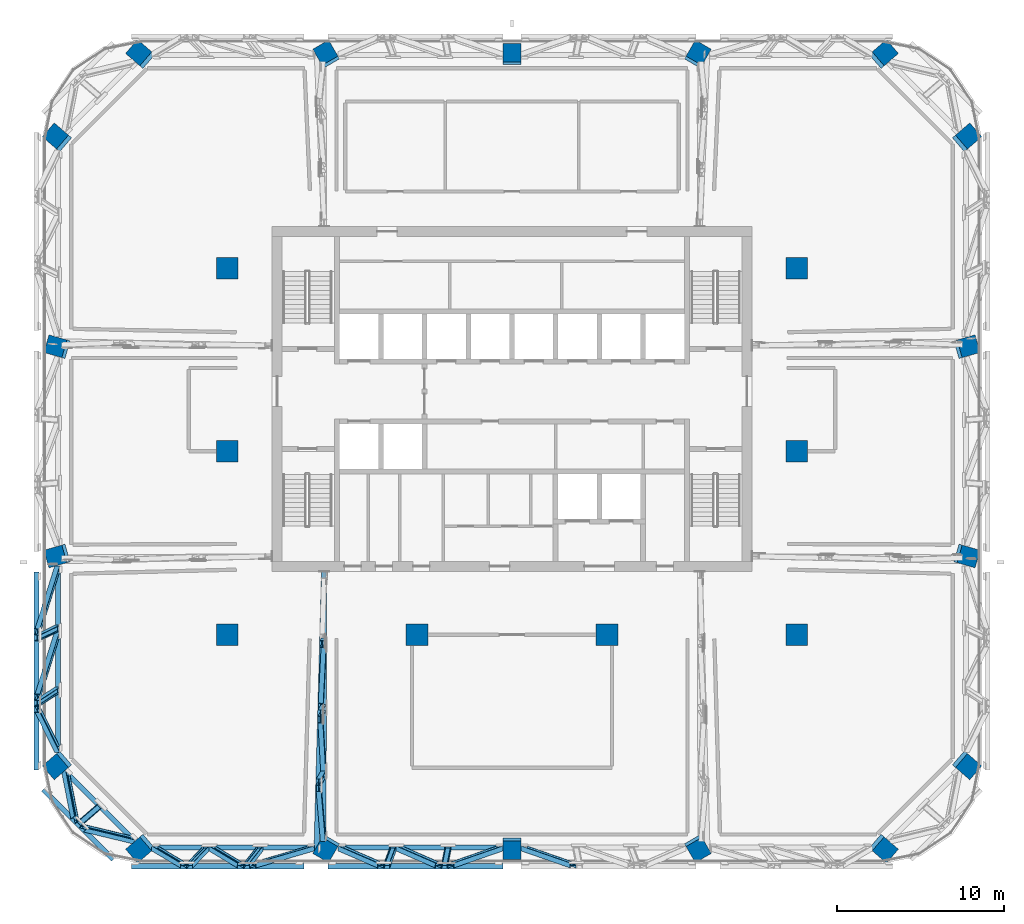
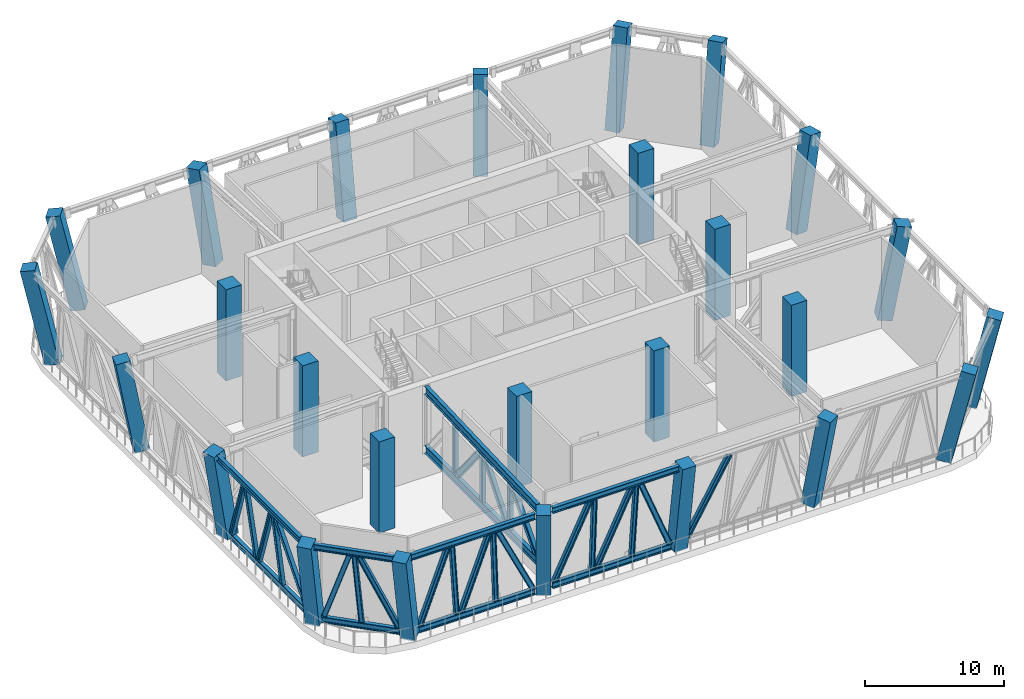
# One storey, part 1 of 24: 35 members, 26 columns.
"""IFC4 building model written with IfcOpenShell, lengths in metres."""

from ifc_helpers import new_model, si_unit, direction, frame, origin, origin_2d, place, context, subcontext, project, spatial, rectangle, i_section, extrude, material, material_profile, profile_set, type_object, element, save


model = new_model("IFC4")

# Units and contexts
model_context = context("Model", 3, precision=1e-05, world=origin(), true_north=direction((0.0, 1.0)))
body_context = subcontext(model_context, "Body", "Model", "MODEL_VIEW")
ifc_project = project(units=[si_unit("LENGTHUNIT", "METRE"), si_unit("AREAUNIT", "SQUARE_METRE"), si_unit("VOLUMEUNIT", "CUBIC_METRE"), si_unit("PLANEANGLEUNIT", "RADIAN"), si_unit("MASSUNIT", "GRAM", prefix="KILO")], contexts=[model_context])

# Site, building, storey
site_placement = place(None, origin())
site = spatial("IfcSite", under=ifc_project, at=site_placement, CompositionType="ELEMENT")
building_placement = place(site_placement, origin())
building = spatial("IfcBuilding", under=site, at=building_placement, Name="Mopane Tessera Tower", CompositionType="ELEMENT")
storey_placement = place(building_placement, frame((0.0, 0.0, 259.0)))
storey = spatial("IfcBuildingStorey", under=building, at=storey_placement, Name="L56", CompositionType="ELEMENT", Elevation=259.0)

# Columns
ifc_material_1 = material(Name="Concrete C50/60", Category="concrete")
ifc_material_profile_1 = material_profile(ifc_material_1, rectangle(XDim=1.300048828125, YDim=1.300048828125, at=origin_2d()))
ifc_profile_set_1 = profile_set([ifc_material_profile_1], Name="Concrete C50/60")
column_type_1 = type_object("IfcColumnType", Name="Interior column 1300 x 1300 C50/60", PredefinedType="COLUMN", material=ifc_profile_set_1)
for number, where, z_axis, x_axis, name in (
    (1, (-17.10009765625, -11.0, 0.0), (0.0, 0.0, 1.0), (1.0, 0.0, 0.0), "Interior column I1A L56"),
    (2, (-17.10009765625, 0.0, 0.0), (0.0, 0.0, 1.0), (1.0, 0.0, 0.0), "Interior column I1B L56"),
    (3, (-17.10009765625, 11.0, 0.0), (0.0, 0.0, 1.0), (1.0, 0.0, 0.0), "Interior column I1C L56"),
    (4, (-5.699951171875, -11.0, 0.0), (0.0, 0.0, 1.0), (1.0, 0.0, 0.0), "Interior column I2A L56"),
    (5, (5.699951171875, -11.0, 0.0), (0.0, 0.0, 1.0), (1.0, 0.0, 0.0), "Interior column I3A L56"),
    (6, (17.10009765625, -11.0, 0.0), (0.0, 0.0, 1.0), (1.0, 0.0, 0.0), "Interior column I4A L56"),
    (7, (17.10009765625, 0.0, 0.0), (0.0, 0.0, 1.0), (1.0, 0.0, 0.0), "Interior column I4B L56"),
    (8, (17.10009765625, 11.0, 0.0), (0.0, 0.0, 1.0), (1.0, 0.0, 0.0), "Interior column I4C L56"),
):
    element("IfcColumn", number, at=place(storey_placement, frame(where, z_axis=z_axis, x_axis=x_axis)), inside=storey, type_object=column_type_1, Name=name, PredefinedType="COLUMN", context=body_context, shape_type="SweptSolid", body=[
        extrude(rectangle(XDim=1.300048828125, YDim=1.300048828125, at=origin_2d()), origin(), (0.0, 0.0, 1.0), 8.0),
    ])
ifc_material_2 = material(Name="Concrete C50/60", Category="concrete")
ifc_material_profile_2 = material_profile(ifc_material_2, rectangle(XDim=1.10009765625, YDim=1.10009765625, at=origin_2d()))
ifc_profile_set_2 = profile_set([ifc_material_profile_2], Name="Concrete C50/60")
column_type_2 = type_object("IfcColumnType", Name="Ring column 1100 x 1100 C50/60", PredefinedType="COLUMN", material=ifc_profile_set_2)
column_1_placement = place(storey_placement, frame((-22.199951171875, -23.75, 0.0), z_axis=(-0.168292528058, -0.145083869662, 0.975001690134), x_axis=(0.652950217968, -0.757400827076, 0.0)))
element("IfcColumn", 9, at=column_1_placement, inside=storey, type_object=column_type_2, Name="Ring column S0 L56", PredefinedType="COLUMN", context=body_context, shape_type="SweptSolid", body=[
    extrude(rectangle(XDim=1.10009765625, YDim=1.10009765625, at=origin_2d()), origin(), (0.0, 0.0, 1.0), 8.205078125),
])
column_2_placement = place(storey_placement, frame((-11.10009765625, -23.75, 0.0), z_axis=(-0.085054467071, -0.146649781273, 0.985525027224), x_axis=(0.865037348799, -0.50170746973, 0.0)))
element("IfcColumn", 10, at=column_2_placement, inside=storey, type_object=column_type_2, Name="Ring column S1 L56", PredefinedType="COLUMN", context=body_context, shape_type="SweptSolid", body=[
    extrude(rectangle(XDim=1.10009765625, YDim=1.10009765625, at=origin_2d()), origin(), (0.0, 0.0, 1.0), 8.117431640625),
])
column_3_placement = place(storey_placement, frame((0.0, -23.75, 0.0), z_axis=(0.0, -0.1471831283, 0.989109259255), x_axis=(1.0, 0.0, 0.0)))
element("IfcColumn", 11, at=column_3_placement, inside=storey, type_object=column_type_2, Name="Ring column S2 L56", PredefinedType="COLUMN", context=body_context, shape_type="SweptSolid", body=[
    extrude(rectangle(XDim=1.10009765625, YDim=1.10009765625, at=origin_2d()), origin(), (0.0, 0.0, 1.0), 8.088134765625),
])
column_4_placement = place(storey_placement, frame((11.10009765625, -23.75, 0.0), z_axis=(0.085054467071, -0.146649781273, 0.985525027224), x_axis=(0.865037348799, 0.50170746973, 0.0)))
element("IfcColumn", 12, at=column_4_placement, inside=storey, type_object=column_type_2, Name="Ring column S3 L56", PredefinedType="COLUMN", context=body_context, shape_type="SweptSolid", body=[
    extrude(rectangle(XDim=1.10009765625, YDim=1.10009765625, at=origin_2d()), origin(), (0.0, 0.0, 1.0), 8.117431640625),
])
for number, where, z_axis, x_axis, name in (
    (13, (22.199951171875, -23.75, 0.0), (0.168292528058, -0.145083869662, 0.975001690134), (0.652950217968, 0.757400827076, 0.0), "Ring column S4 L56"),
    (14, (27.199951171875, -18.75, 0.0), (0.168292528058, -0.145083869662, 0.975001690134), (0.652950217968, 0.757400827076, 0.0), "Ring column E0 L56"),
):
    element("IfcColumn", number, at=place(storey_placement, frame(where, z_axis=z_axis, x_axis=x_axis)), inside=storey, type_object=column_type_2, Name=name, PredefinedType="COLUMN", context=body_context, shape_type="SweptSolid", body=[
        extrude(rectangle(XDim=1.10009765625, YDim=1.10009765625, at=origin_2d()), origin(), (0.0, 0.0, 1.0), 8.205078125),
    ])
for number, where, z_axis, x_axis, name in (
    (15, (27.199951171875, -6.25, 0.0), (0.169889225742, -0.048840148702, 0.984252148005), (0.276291730008, 0.961073816067, 0.0), "Ring column E1 L56"),
    (16, (27.199951171875, 6.25, 0.0), (0.169889225742, 0.048840148702, 0.984252148005), (-0.276291730008, 0.961073816067, 0.0), "Ring column E2 L56"),
):
    element("IfcColumn", number, at=place(storey_placement, frame(where, z_axis=z_axis, x_axis=x_axis)), inside=storey, type_object=column_type_2, Name=name, PredefinedType="COLUMN", context=body_context, shape_type="SweptSolid", body=[
        extrude(rectangle(XDim=1.10009765625, YDim=1.10009765625, at=origin_2d()), origin(), (0.0, 0.0, 1.0), 8.1279296875),
    ])
for number, where, z_axis, x_axis, name in (
    (17, (27.199951171875, 18.75, 0.0), (0.168292528058, 0.145083869662, 0.975001690134), (-0.652950217968, 0.757400827076, 0.0), "Ring column E3 L56"),
    (18, (22.199951171875, 23.75, 0.0), (0.168292528058, 0.145083869662, 0.975001690134), (-0.652950217968, 0.757400827076, 0.0), "Ring column N0 L56"),
):
    element("IfcColumn", number, at=place(storey_placement, frame(where, z_axis=z_axis, x_axis=x_axis)), inside=storey, type_object=column_type_2, Name=name, PredefinedType="COLUMN", context=body_context, shape_type="SweptSolid", body=[
        extrude(rectangle(XDim=1.10009765625, YDim=1.10009765625, at=origin_2d()), origin(), (0.0, 0.0, 1.0), 8.205078125),
    ])
column_5_placement = place(storey_placement, frame((11.10009765625, 23.75, 0.0), z_axis=(0.085054467071, 0.146649781273, 0.985525027224), x_axis=(-0.865037348799, 0.50170746973, 0.0)))
element("IfcColumn", 19, at=column_5_placement, inside=storey, type_object=column_type_2, Name="Ring column N1 L56", PredefinedType="COLUMN", context=body_context, shape_type="SweptSolid", body=[
    extrude(rectangle(XDim=1.10009765625, YDim=1.10009765625, at=origin_2d()), origin(), (0.0, 0.0, 1.0), 8.117431640625),
])
column_6_placement = place(storey_placement, frame((0.0, 23.75, 0.0), z_axis=(0.0, 0.1471831283, 0.989109259255), x_axis=(-1.0, 0.0, 0.0)))
element("IfcColumn", 20, at=column_6_placement, inside=storey, type_object=column_type_2, Name="Ring column N2 L56", PredefinedType="COLUMN", context=body_context, shape_type="SweptSolid", body=[
    extrude(rectangle(XDim=1.10009765625, YDim=1.10009765625, at=origin_2d()), origin(), (0.0, 0.0, 1.0), 8.088134765625),
])
column_7_placement = place(storey_placement, frame((-11.10009765625, 23.75, 0.0), z_axis=(-0.085054467071, 0.146649781273, 0.985525027224), x_axis=(-0.865037348799, -0.50170746973, 0.0)))
element("IfcColumn", 21, at=column_7_placement, inside=storey, type_object=column_type_2, Name="Ring column N3 L56", PredefinedType="COLUMN", context=body_context, shape_type="SweptSolid", body=[
    extrude(rectangle(XDim=1.10009765625, YDim=1.10009765625, at=origin_2d()), origin(), (0.0, 0.0, 1.0), 8.117431640625),
])
for number, where, z_axis, x_axis, name in (
    (22, (-22.199951171875, 23.75, 0.0), (-0.168292528058, 0.145083869662, 0.975001690134), (-0.652950217968, -0.757400827076, 0.0), "Ring column N4 L56"),
    (23, (-27.199951171875, 18.75, 0.0), (-0.168292528058, 0.145083869662, 0.975001690134), (-0.652950217968, -0.757400827076, 0.0), "Ring column W0 L56"),
):
    element("IfcColumn", number, at=place(storey_placement, frame(where, z_axis=z_axis, x_axis=x_axis)), inside=storey, type_object=column_type_2, Name=name, PredefinedType="COLUMN", context=body_context, shape_type="SweptSolid", body=[
        extrude(rectangle(XDim=1.10009765625, YDim=1.10009765625, at=origin_2d()), origin(), (0.0, 0.0, 1.0), 8.205078125),
    ])
for number, where, z_axis, x_axis, name in (
    (24, (-27.199951171875, 6.25, 0.0), (-0.169889225742, 0.048840148702, 0.984252148005), (-0.276291730008, -0.961073816067, 0.0), "Ring column W1 L56"),
    (25, (-27.199951171875, -6.25, 0.0), (-0.169889225742, -0.048840148702, 0.984252148005), (0.276291730008, -0.961073816067, 0.0), "Ring column W2 L56"),
):
    element("IfcColumn", number, at=place(storey_placement, frame(where, z_axis=z_axis, x_axis=x_axis)), inside=storey, type_object=column_type_2, Name=name, PredefinedType="COLUMN", context=body_context, shape_type="SweptSolid", body=[
        extrude(rectangle(XDim=1.10009765625, YDim=1.10009765625, at=origin_2d()), origin(), (0.0, 0.0, 1.0), 8.1279296875),
    ])
column_8_placement = place(storey_placement, frame((-27.199951171875, -18.75, 0.0), z_axis=(-0.168292528058, -0.145083869662, 0.975001690134), x_axis=(0.652950217968, -0.757400827076, 0.0)))
element("IfcColumn", 26, at=column_8_placement, inside=storey, type_object=column_type_2, Name="Ring column W3 L56", PredefinedType="COLUMN", context=body_context, shape_type="SweptSolid", body=[
    extrude(rectangle(XDim=1.10009765625, YDim=1.10009765625, at=origin_2d()), origin(), (0.0, 0.0, 1.0), 8.205078125),
])

# Members
ifc_material_3 = material(Name="Structural steel S460", Category="steel")
ifc_material_profile_3 = material_profile(ifc_material_3, i_section(OverallWidth=0.305908203125, OverallDepth=0.52392578125, WebThickness=0.02099609375, FlangeThickness=0.0400390625, FilletRadius=0.027099609375, at=origin_2d()))
ifc_profile_set_3 = profile_set([ifc_material_profile_3], Name="Structural steel S460")
member_type_1 = type_object("IfcMemberType", Name="Belt truss chord HE 500 M", PredefinedType="CHORD", material=ifc_profile_set_3)
member_1_placement = place(storey_placement, frame((-21.55419921875, -23.7890625, 0.261962890625), z_axis=(1.0, 0.0, 0.0), x_axis=(0.0, 1.0, 0.0)))
element("IfcMember", 27, at=member_1_placement, inside=storey, type_object=member_type_1, Name="Belt truss bottom chord L56 S0-S1", PredefinedType="CHORD", context=body_context, shape_type="SweptSolid", body=[
    extrude(i_section(OverallWidth=0.305908203125, OverallDepth=0.52392578125, WebThickness=0.02099609375, FlangeThickness=0.0400390625, FilletRadius=0.027099609375, at=origin_2d()), origin(), (0.0, 0.0, 1.0), 9.70751953125),
])
member_2_placement = place(storey_placement, frame((-22.844482421875, -24.9013671875, 7.738037109375), z_axis=(1.0, 0.0, 0.0), x_axis=(0.0, 1.0, 0.0)))
element("IfcMember", 28, at=member_2_placement, inside=storey, type_object=member_type_1, Name="Belt truss top chord L56 S0-S1", PredefinedType="CHORD", context=body_context, shape_type="SweptSolid", body=[
    extrude(i_section(OverallWidth=0.305908203125, OverallDepth=0.52392578125, WebThickness=0.02099609375, FlangeThickness=0.0400390625, FilletRadius=0.027099609375, at=origin_2d()), origin(), (0.0, 0.0, 1.0), 10.352783203125),
])
member_3_placement = place(storey_placement, frame((-10.398681640625, -23.7890625, 0.261962890625), z_axis=(1.0, 0.0, 0.0), x_axis=(0.0, 1.0, 0.0)))
element("IfcMember", 29, at=member_3_placement, inside=storey, type_object=member_type_1, Name="Belt truss bottom chord L56 S1-S2", PredefinedType="CHORD", context=body_context, shape_type="SweptSolid", body=[
    extrude(i_section(OverallWidth=0.305908203125, OverallDepth=0.52392578125, WebThickness=0.02099609375, FlangeThickness=0.0400390625, FilletRadius=0.027099609375, at=origin_2d()), origin(), (0.0, 0.0, 1.0), 9.84912109375),
])
member_4_placement = place(storey_placement, frame((-11.0439453125, -24.9013671875, 7.738037109375), z_axis=(1.0, 0.0, 0.0), x_axis=(0.0, 1.0, 0.0)))
element("IfcMember", 30, at=member_4_placement, inside=storey, type_object=member_type_1, Name="Belt truss top chord L56 S1-S2", PredefinedType="CHORD", context=body_context, shape_type="SweptSolid", body=[
    extrude(i_section(OverallWidth=0.305908203125, OverallDepth=0.52392578125, WebThickness=0.02099609375, FlangeThickness=0.0400390625, FilletRadius=0.027099609375, at=origin_2d()), origin(), (0.0, 0.0, 1.0), 10.494384765625),
])
member_5_placement = place(storey_placement, frame((-27.2451171875, -6.878662109375, 0.261962890625), z_axis=(0.0, -1.0, 0.0), x_axis=(1.0, 0.0, 0.0)))
element("IfcMember", 31, at=member_5_placement, inside=storey, type_object=member_type_1, Name="Belt truss bottom chord L56 W2-W3", PredefinedType="CHORD", context=body_context, shape_type="SweptSolid", body=[
    extrude(i_section(OverallWidth=0.305908203125, OverallDepth=0.52392578125, WebThickness=0.02099609375, FlangeThickness=0.0400390625, FilletRadius=0.027099609375, at=origin_2d()), origin(), (0.0, 0.0, 1.0), 11.13330078125),
])
member_6_placement = place(storey_placement, frame((-28.53564453125, -7.24951171875, 7.738037109375), z_axis=(0.0, -1.0, 0.0), x_axis=(1.0, 0.0, 0.0)))
element("IfcMember", 32, at=member_6_placement, inside=storey, type_object=member_type_1, Name="Belt truss top chord L56 W2-W3", PredefinedType="CHORD", context=body_context, shape_type="SweptSolid", body=[
    extrude(i_section(OverallWidth=0.305908203125, OverallDepth=0.52392578125, WebThickness=0.02099609375, FlangeThickness=0.0400390625, FilletRadius=0.027099609375, at=origin_2d()), origin(), (0.0, 0.0, 1.0), 11.874755859375),
])
member_7_placement = place(storey_placement, frame((-26.84765625, -19.1865234375, 0.261962890625), z_axis=(0.707106781187, -0.707106781187, 0.0), x_axis=(0.707106781187, 0.707106781187, 0.0)))
element("IfcMember", 33, at=member_7_placement, inside=storey, type_object=member_type_1, Name="Belt truss bottom chord L56 W3-S0", PredefinedType="CHORD", context=body_context, shape_type="SweptSolid", body=[
    extrude(i_section(OverallWidth=0.305908203125, OverallDepth=0.52392578125, WebThickness=0.02099609375, FlangeThickness=0.0400390625, FilletRadius=0.027099609375, at=origin_2d()), origin(), (0.0, 0.0, 1.0), 5.946533203125),
])
member_8_placement = place(storey_placement, frame((-28.137939453125, -20.299072265625, 7.738037109375), z_axis=(0.707086252313, -0.707127309464, 0.0), x_axis=(0.707127309464, 0.707086252313, 0.0)))
element("IfcMember", 34, at=member_8_placement, inside=storey, type_object=member_type_1, Name="Belt truss top chord L56 W3-S0", PredefinedType="CHORD", context=body_context, shape_type="SweptSolid", body=[
    extrude(i_section(OverallWidth=0.305908203125, OverallDepth=0.52392578125, WebThickness=0.02099609375, FlangeThickness=0.0400390625, FilletRadius=0.027099609375, at=origin_2d()), origin(), (0.0, 0.0, 1.0), 5.9462890625),
])
ifc_material_4 = material(Name="Structural steel S460", Category="steel")
ifc_material_profile_4 = material_profile(ifc_material_4, i_section(OverallWidth=0.300048828125, OverallDepth=0.39990234375, WebThickness=0.013427734375, FlangeThickness=0.02392578125, FilletRadius=0.027099609375, at=origin_2d()))
ifc_profile_set_4 = profile_set([ifc_material_profile_4], Name="Structural steel S460")
member_type_2 = type_object("IfcMemberType", Name="Belt truss diagonal HE 400 B", PredefinedType="BRACE", material=ifc_profile_set_4)
member_9_placement = place(storey_placement, frame((-21.43212890625, -23.833251953125, 0.5595703125), z_axis=(0.240368104907, -0.142871858274, 0.960109788648), x_axis=(0.034683429233, 0.989741194403, 0.138598080211)))
element("IfcMember", 35, at=member_9_placement, inside=storey, type_object=member_type_2, Name="Belt truss diagonal 0 L56 S0-S1", PredefinedType="BRACE", context=body_context, shape_type="SweptSolid", body=[
    extrude(i_section(OverallWidth=0.300048828125, OverallDepth=0.39990234375, WebThickness=0.013427734375, FlangeThickness=0.02392578125, FilletRadius=0.027099609375, at=origin_2d()), origin(), (0.0, 0.0, 1.0), 7.166748046875),
])
member_10_placement = place(storey_placement, frame((-18.005126953125, -23.83251953125, 0.554931640625), z_axis=(0.238169708619, -0.14296309507, 0.960643921203), x_axis=(0.034446532368, 0.989728018935, 0.13875116195)))
element("IfcMember", 36, at=member_10_placement, inside=storey, type_object=member_type_2, Name="Belt truss diagonal 1 L56 S0-S1", PredefinedType="BRACE", context=body_context, shape_type="SweptSolid", body=[
    extrude(i_section(OverallWidth=0.300048828125, OverallDepth=0.39990234375, WebThickness=0.013427734375, FlangeThickness=0.02392578125, FilletRadius=0.027099609375, at=origin_2d()), origin(), (0.0, 0.0, 1.0), 7.17236328125),
])
member_11_placement = place(storey_placement, frame((-15.551513671875, -24.857177734375, 7.4404296875), z_axis=(0.450040201118, 0.131439317792, -0.883282244312), x_axis=(-0.059668651394, 0.991324218272, 0.117115098546)))
element("IfcMember", 37, at=member_11_placement, inside=storey, type_object=member_type_2, Name="Belt truss diagonal 2 L56 S0-S1", PredefinedType="BRACE", context=body_context, shape_type="SweptSolid", body=[
    extrude(i_section(OverallWidth=0.300048828125, OverallDepth=0.39990234375, WebThickness=0.013427734375, FlangeThickness=0.02392578125, FilletRadius=0.027099609375, at=origin_2d()), origin(), (0.0, 0.0, 1.0), 7.7900390625),
])
member_12_placement = place(storey_placement, frame((-10.251708984375, -23.83349609375, 0.560791015625), z_axis=(0.322539725509, -0.139304196305, 0.936249147589), x_axis=(0.045353355245, 0.990249635418, 0.131714588119)))
element("IfcMember", 38, at=member_12_placement, inside=storey, type_object=member_type_2, Name="Belt truss diagonal 0 L56 S1-S2", PredefinedType="BRACE", context=body_context, shape_type="SweptSolid", body=[
    extrude(i_section(OverallWidth=0.300048828125, OverallDepth=0.39990234375, WebThickness=0.013427734375, FlangeThickness=0.02392578125, FilletRadius=0.027099609375, at=origin_2d()), origin(), (0.0, 0.0, 1.0), 7.3466796875),
])
member_13_placement = place(storey_placement, frame((-6.77783203125, -23.832763671875, 0.55615234375), z_axis=(0.320810334951, -0.139401903129, 0.936828606733), x_axis=(0.045148045312, 0.990235885622, 0.131888380196)))
element("IfcMember", 39, at=member_13_placement, inside=storey, type_object=member_type_2, Name="Belt truss diagonal 1 L56 S1-S2", PredefinedType="BRACE", context=body_context, shape_type="SweptSolid", body=[
    extrude(i_section(OverallWidth=0.300048828125, OverallDepth=0.39990234375, WebThickness=0.013427734375, FlangeThickness=0.02392578125, FilletRadius=0.027099609375, at=origin_2d()), origin(), (0.0, 0.0, 1.0), 7.35205078125),
])
for number, where, z_axis, x_axis, name in (
    (40, (-3.67578125, -24.85693359375, 7.439208984375), (0.390955443246, 0.135456254078, -0.910387524424), (-0.05343243507, 0.990783327914, 0.124472374484), "Belt truss diagonal 2 L56 S1-S2"),
    (41, (0.721923828125, -23.83349609375, 0.560791015625), (0.390955443246, -0.135456254078, 0.910387524424), (0.05343243507, 0.990783327914, 0.124472374484), "Belt truss diagonal 0 L56 S2-S3"),
):
    element("IfcMember", number, at=place(storey_placement, frame(where, z_axis=z_axis, x_axis=x_axis)), inside=storey, type_object=member_type_2, Name=name, PredefinedType="BRACE", context=body_context, shape_type="SweptSolid", body=[
        extrude(i_section(OverallWidth=0.300048828125, OverallDepth=0.39990234375, WebThickness=0.013427734375, FlangeThickness=0.02392578125, FilletRadius=0.027099609375, at=origin_2d()), origin(), (0.0, 0.0, 1.0), 7.555419921875),
    ])
member_14_placement = place(storey_placement, frame((-27.298583984375, -7.060302734375, 0.572021484375), z_axis=(-0.149601424619, -0.476113939861, 0.86656501777), x_axis=(0.988746384813, -0.072052618146, 0.131106852368)))
element("IfcMember", 42, at=member_14_placement, inside=storey, type_object=member_type_2, Name="Belt truss diagonal 0 L56 W2-W3", PredefinedType="BRACE", context=body_context, shape_type="SweptSolid", body=[
    extrude(i_section(OverallWidth=0.300048828125, OverallDepth=0.39990234375, WebThickness=0.013427734375, FlangeThickness=0.02392578125, FilletRadius=0.027099609375, at=origin_2d()), origin(), (0.0, 0.0, 1.0), 7.91162109375),
])
member_15_placement = place(storey_placement, frame((-27.2978515625, -10.963134765625, 0.5673828125), z_axis=(-0.149483272828, -0.477213184124, 0.865980558698), x_axis=(0.988764254566, -0.072140563392, 0.130923596065)))
element("IfcMember", 43, at=member_15_placement, inside=storey, type_object=member_type_2, Name="Belt truss diagonal 1 L56 W2-W3", PredefinedType="BRACE", context=body_context, shape_type="SweptSolid", body=[
    extrude(i_section(OverallWidth=0.300048828125, OverallDepth=0.39990234375, WebThickness=0.013427734375, FlangeThickness=0.02392578125, FilletRadius=0.027099609375, at=origin_2d()), origin(), (0.0, 0.0, 1.0), 7.927734375),
])
member_16_placement = place(storey_placement, frame((-28.482177734375, -15.476318359375, 7.427978515625), z_axis=(0.160713742004, -0.327924986779, -0.930933024539), x_axis=(0.987001059242, 0.053440823985, 0.151568424768)))
element("IfcMember", 44, at=member_16_placement, inside=storey, type_object=member_type_2, Name="Belt truss diagonal 2 L56 W2-W3", PredefinedType="BRACE", context=body_context, shape_type="SweptSolid", body=[
    extrude(i_section(OverallWidth=0.300048828125, OverallDepth=0.39990234375, WebThickness=0.013427734375, FlangeThickness=0.02392578125, FilletRadius=0.027099609375, at=origin_2d()), origin(), (0.0, 0.0, 1.0), 7.364501953125),
])
member_17_placement = place(storey_placement, frame((-26.77392578125, -19.353759765625, 0.552490234375), z_axis=(0.072187286105, -0.369890146613, 0.926266848788), x_axis=(0.738836798627, 0.64368734393, 0.199466258447)))
element("IfcMember", 45, at=member_17_placement, inside=storey, type_object=member_type_2, Name="Belt truss diagonal 0 L56 W3-S0", PredefinedType="BRACE", context=body_context, shape_type="SweptSolid", body=[
    extrude(i_section(OverallWidth=0.300048828125, OverallDepth=0.39990234375, WebThickness=0.013427734375, FlangeThickness=0.02392578125, FilletRadius=0.027099609375, at=origin_2d()), origin(), (0.0, 0.0, 1.0), 7.44384765625),
])
member_18_placement = place(storey_placement, frame((-25.734375, -22.609375, 7.447509765625), z_axis=(0.387981452235, -0.093277883872, -0.916934909959), x_axis=(0.640323134675, 0.742843451968, 0.195371157208)))
element("IfcMember", 46, at=member_18_placement, inside=storey, type_object=member_type_2, Name="Belt truss diagonal 1 L56 W3-S0", PredefinedType="BRACE", context=body_context, shape_type="SweptSolid", body=[
    extrude(i_section(OverallWidth=0.300048828125, OverallDepth=0.39990234375, WebThickness=0.013427734375, FlangeThickness=0.02392578125, FilletRadius=0.027099609375, at=origin_2d()), origin(), (0.0, 0.0, 1.0), 7.51953125),
])
ifc_material_5 = material(Name="Structural steel S460", Category="steel")
ifc_material_profile_5 = material_profile(ifc_material_5, i_section(OverallWidth=0.300048828125, OverallDepth=0.360107421875, WebThickness=0.012451171875, FlangeThickness=0.0224609375, FilletRadius=0.027099609375, at=origin_2d()))
ifc_profile_set_5 = profile_set([ifc_material_profile_5], Name="Structural steel S460")
member_type_3 = type_object("IfcMemberType", Name="Belt truss post HE 360 B", PredefinedType="POST", material=ifc_profile_set_5)
member_19_placement = place(storey_placement, frame((-18.35546875, -23.827880859375, 0.52392578125), z_axis=(-0.139236524581, -0.145771835764, 0.979471164517), x_axis=(-0.020509231245, 0.989318235884, 0.144321861062)))
element("IfcMember", 47, at=member_19_placement, inside=storey, type_object=member_type_3, Name="Belt truss post 1 L56 S0-S1", PredefinedType="POST", context=body_context, shape_type="SweptSolid", body=[
    extrude(i_section(OverallWidth=0.300048828125, OverallDepth=0.360107421875, WebThickness=0.012451171875, FlangeThickness=0.0224609375, FilletRadius=0.027099609375, at=origin_2d()), origin(), (0.0, 0.0, 1.0), 7.097900390625),
])
member_20_placement = place(storey_placement, frame((-15.113037109375, -23.827880859375, 0.52392578125), z_axis=(-0.115002703841, -0.14622906057, 0.98254335271), x_axis=(-0.016961755539, 0.989250757106, 0.145241999487)))
element("IfcMember", 48, at=member_20_placement, inside=storey, type_object=member_type_3, Name="Belt truss post 2 L56 S0-S1", PredefinedType="POST", context=body_context, shape_type="SweptSolid", body=[
    extrude(i_section(OverallWidth=0.300048828125, OverallDepth=0.360107421875, WebThickness=0.012451171875, FlangeThickness=0.0224609375, FilletRadius=0.027099609375, at=origin_2d()), origin(), (0.0, 0.0, 1.0), 7.07568359375),
])
member_21_placement = place(storey_placement, frame((-7.130126953125, -23.827880859375, 0.52392578125), z_axis=(-0.054521762792, -0.146986787986, 0.987634680203), x_axis=(-0.00814252161, 0.989138454689, 0.146761087477)))
element("IfcMember", 49, at=member_21_placement, inside=storey, type_object=member_type_3, Name="Belt truss post 1 L56 S1-S2", PredefinedType="POST", context=body_context, shape_type="SweptSolid", body=[
    extrude(i_section(OverallWidth=0.300048828125, OverallDepth=0.360107421875, WebThickness=0.012451171875, FlangeThickness=0.0224609375, FilletRadius=0.027099609375, at=origin_2d()), origin(), (0.0, 0.0, 1.0), 7.039306640625),
])
member_22_placement = place(storey_placement, frame((-3.84033203125, -23.827880859375, 0.52392578125), z_axis=(-0.029407583865, -0.147142078416, 0.988678108775), x_axis=(-0.004329345509, 0.989115365741, 0.147078380544)))
element("IfcMember", 50, at=member_22_placement, inside=storey, type_object=member_type_3, Name="Belt truss post 2 L56 S1-S2", PredefinedType="POST", context=body_context, shape_type="SweptSolid", body=[
    extrude(i_section(OverallWidth=0.300048828125, OverallDepth=0.360107421875, WebThickness=0.012451171875, FlangeThickness=0.0224609375, FilletRadius=0.027099609375, at=origin_2d()), origin(), (0.0, 0.0, 1.0), 7.03173828125),
])
member_23_placement = place(storey_placement, frame((-27.290283203125, -10.61181640625, 0.52392578125), z_axis=(-0.169542223382, -0.082356962863, 0.982075743086), x_axis=(0.985522915206, -0.014304111969, 0.168937787322)))
element("IfcMember", 51, at=member_23_placement, inside=storey, type_object=member_type_3, Name="Belt truss post 1 L56 W2-W3", PredefinedType="POST", context=body_context, shape_type="SweptSolid", body=[
    extrude(i_section(OverallWidth=0.300048828125, OverallDepth=0.360107421875, WebThickness=0.012451171875, FlangeThickness=0.0224609375, FilletRadius=0.027099609375, at=origin_2d()), origin(), (0.0, 0.0, 1.0), 7.0791015625),
])
member_24_placement = place(storey_placement, frame((-27.290283203125, -14.33056640625, 0.52392578125), z_axis=(-0.169070502706, -0.110913826531, 0.979343294355), x_axis=(0.985603952965, -0.019141168536, 0.167983521711)))
element("IfcMember", 52, at=member_24_placement, inside=storey, type_object=member_type_3, Name="Belt truss post 2 L56 W2-W3", PredefinedType="POST", context=body_context, shape_type="SweptSolid", body=[
    extrude(i_section(OverallWidth=0.300048828125, OverallDepth=0.360107421875, WebThickness=0.012451171875, FlangeThickness=0.0224609375, FilletRadius=0.027099609375, at=origin_2d()), origin(), (0.0, 0.0, 1.0), 7.098876953125),
])
member_25_placement = place(storey_placement, frame((-24.790283203125, -21.327880859375, 0.52392578125), z_axis=(-0.168319620267, -0.14510548224, 0.974993797138), x_axis=(0.686891024749, 0.692153827659, 0.221593770167)))
element("IfcMember", 53, at=member_25_placement, inside=storey, type_object=member_type_3, Name="Belt truss post 1 L56 W3-S0", PredefinedType="POST", context=body_context, shape_type="SweptSolid", body=[
    extrude(i_section(OverallWidth=0.300048828125, OverallDepth=0.360107421875, WebThickness=0.012451171875, FlangeThickness=0.0224609375, FilletRadius=0.027099609375, at=origin_2d()), origin(), (0.0, 0.0, 1.0), 7.13037109375),
])
ifc_material_6 = material(Name="Structural steel S460", Category="steel")
ifc_material_profile_6 = material_profile(ifc_material_6, i_section(OverallWidth=0.303955078125, OverallDepth=0.716064453125, WebThickness=0.02099609375, FlangeThickness=0.0400390625, FilletRadius=0.027099609375, at=origin_2d()))
ifc_profile_set_6 = profile_set([ifc_material_profile_6], Name="Structural steel S460")
member_type_4 = type_object("IfcMemberType", Name="Outrigger truss chord HE 700 M", PredefinedType="CHORD", material=ifc_profile_set_6)
member_26_placement = place(storey_placement, frame((-11.28125, -7.21484375, 2.4580078125), z_axis=(-0.001835054085, -0.999998316287, 0.0), x_axis=(0.999998316287, -0.001835054085, 0.0)))
element("IfcMember", 54, at=member_26_placement, inside=storey, type_object=member_type_4, Name="Outrigger truss bottom chord L56 S1", PredefinedType="CHORD", context=body_context, shape_type="SweptSolid", body=[
    extrude(i_section(OverallWidth=0.303955078125, OverallDepth=0.716064453125, WebThickness=0.02099609375, FlangeThickness=0.0400390625, FilletRadius=0.027099609375, at=origin_2d()), origin(), (0.0, 0.0, 1.0), 16.09814453125),
])
member_27_placement = place(storey_placement, frame((-11.28173828125, -7.21484375, 7.64208984375), z_axis=(-0.027020284922, -0.999634885447, 0.0), x_axis=(0.999634885447, -0.027020284922, 0.0)))
element("IfcMember", 55, at=member_27_placement, inside=storey, type_object=member_type_4, Name="Outrigger truss top chord L56 S1", PredefinedType="CHORD", context=body_context, shape_type="SweptSolid", body=[
    extrude(i_section(OverallWidth=0.303955078125, OverallDepth=0.716064453125, WebThickness=0.02099609375, FlangeThickness=0.0400390625, FilletRadius=0.027099609375, at=origin_2d()), origin(), (0.0, 0.0, 1.0), 16.88720703125),
])
ifc_material_7 = material(Name="Structural steel S460", Category="steel")
ifc_material_profile_7 = material_profile(ifc_material_7, i_section(OverallWidth=0.300048828125, OverallDepth=0.5, WebThickness=0.014404296875, FlangeThickness=0.028076171875, FilletRadius=0.027099609375, at=origin_2d()))
ifc_profile_set_7 = profile_set([ifc_material_profile_7], Name="Structural steel S460")
member_type_5 = type_object("IfcMemberType", Name="Outrigger truss diagonal HE 500 B", PredefinedType="BRACE", material=ifc_profile_set_7)
member_28_placement = place(storey_placement, frame((-11.30078125, -11.782958984375, 2.935302734375), z_axis=(-0.033001353459, -0.64031485134, 0.767403284996), x_axis=(0.999454300637, -0.022232355639, 0.024429967283)))
element("IfcMember", 56, at=member_28_placement, inside=storey, type_object=member_type_5, Name="Outrigger truss diagonal 1 L56 S1", PredefinedType="BRACE", context=body_context, shape_type="SweptSolid", body=[
    extrude(i_section(OverallWidth=0.300048828125, OverallDepth=0.5, WebThickness=0.014404296875, FlangeThickness=0.028076171875, FilletRadius=0.027099609375, at=origin_2d()), origin(), (0.0, 0.0, 1.0), 5.511474609375),
])
member_29_placement = place(storey_placement, frame((-11.501953125, -16.092041015625, 7.164794921875), z_axis=(0.033133326059, -0.568013437859, -0.82235206397), x_axis=(0.999449785976, 0.017579788269, 0.028126079669)))
element("IfcMember", 57, at=member_29_placement, inside=storey, type_object=member_type_5, Name="Outrigger truss diagonal 2 L56 S1", PredefinedType="BRACE", context=body_context, shape_type="SweptSolid", body=[
    extrude(i_section(OverallWidth=0.300048828125, OverallDepth=0.5, WebThickness=0.014404296875, FlangeThickness=0.028076171875, FilletRadius=0.027099609375, at=origin_2d()), origin(), (0.0, 0.0, 1.0), 5.14306640625),
])
member_30_placement = place(storey_placement, frame((-11.60400390625, -20.223876953125, 7.157470703125), z_axis=(0.04912804951, -0.57773831134, -0.814742215895), x_axis=(0.998791372315, 0.027198006466, 0.040939748808)))
element("IfcMember", 58, at=member_30_placement, inside=storey, type_object=member_type_5, Name="Outrigger truss diagonal 3 L56 S1", PredefinedType="BRACE", context=body_context, shape_type="SweptSolid", body=[
    extrude(i_section(OverallWidth=0.300048828125, OverallDepth=0.5, WebThickness=0.014404296875, FlangeThickness=0.028076171875, FilletRadius=0.027099609375, at=origin_2d()), origin(), (0.0, 0.0, 1.0), 5.17333984375),
])
ifc_material_8 = material(Name="Structural steel S460", Category="steel")
ifc_material_profile_8 = material_profile(ifc_material_8, i_section(OverallWidth=0.300048828125, OverallDepth=0.39990234375, WebThickness=0.013427734375, FlangeThickness=0.02392578125, FilletRadius=0.027099609375, at=origin_2d()))
ifc_profile_set_8 = profile_set([ifc_material_profile_8], Name="Structural steel S460")
member_type_6 = type_object("IfcMemberType", Name="Outrigger truss post HE 400 B", PredefinedType="POST", material=ifc_profile_set_8)
member_31_placement = place(storey_placement, frame((-11.296630859375, -11.402587890625, 2.81591796875), z_axis=(-0.021345613765, -0.036795252373, 0.999094827419), x_axis=(0.999770151639, -0.00278685937, 0.021257405938)))
element("IfcMember", 59, at=member_31_placement, inside=storey, type_object=member_type_6, Name="Outrigger truss post 1 L56 S1", PredefinedType="POST", context=body_context, shape_type="SweptSolid", body=[
    extrude(i_section(OverallWidth=0.300048828125, OverallDepth=0.39990234375, WebThickness=0.013427734375, FlangeThickness=0.02392578125, FilletRadius=0.027099609375, at=origin_2d()), origin(), (0.0, 0.0, 1.0), 4.47216796875),
])
member_32_placement = place(storey_placement, frame((-11.31103515625, -15.3896484375, 2.81591796875), z_axis=(-0.041548751814, -0.071553158433, 0.996571044503), x_axis=(0.999133574091, -0.005380202988, 0.041269292951)))
element("IfcMember", 60, at=member_32_placement, inside=storey, type_object=member_type_6, Name="Outrigger truss post 2 L56 S1", PredefinedType="POST", context=body_context, shape_type="SweptSolid", body=[
    extrude(i_section(OverallWidth=0.300048828125, OverallDepth=0.39990234375, WebThickness=0.013427734375, FlangeThickness=0.02392578125, FilletRadius=0.027099609375, at=origin_2d()), origin(), (0.0, 0.0, 1.0), 4.4833984375),
])
member_33_placement = place(storey_placement, frame((-11.32568359375, -19.376708984375, 2.81591796875), z_axis=(-0.06144298554, -0.105966102159, 0.992469619042), x_axis=(0.998109003212, -0.008298949273, 0.060906035395)))
element("IfcMember", 61, at=member_33_placement, inside=storey, type_object=member_type_6, Name="Outrigger truss post 3 L56 S1", PredefinedType="POST", context=body_context, shape_type="SweptSolid", body=[
    extrude(i_section(OverallWidth=0.300048828125, OverallDepth=0.39990234375, WebThickness=0.013427734375, FlangeThickness=0.02392578125, FilletRadius=0.027099609375, at=origin_2d()), origin(), (0.0, 0.0, 1.0), 4.501953125),
])

save(model, "model.ifc")
